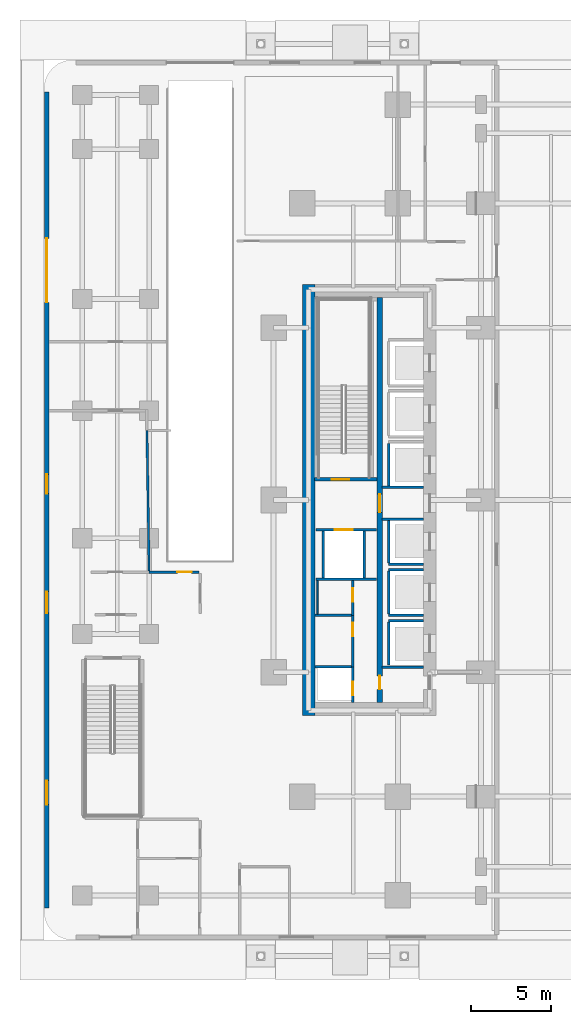
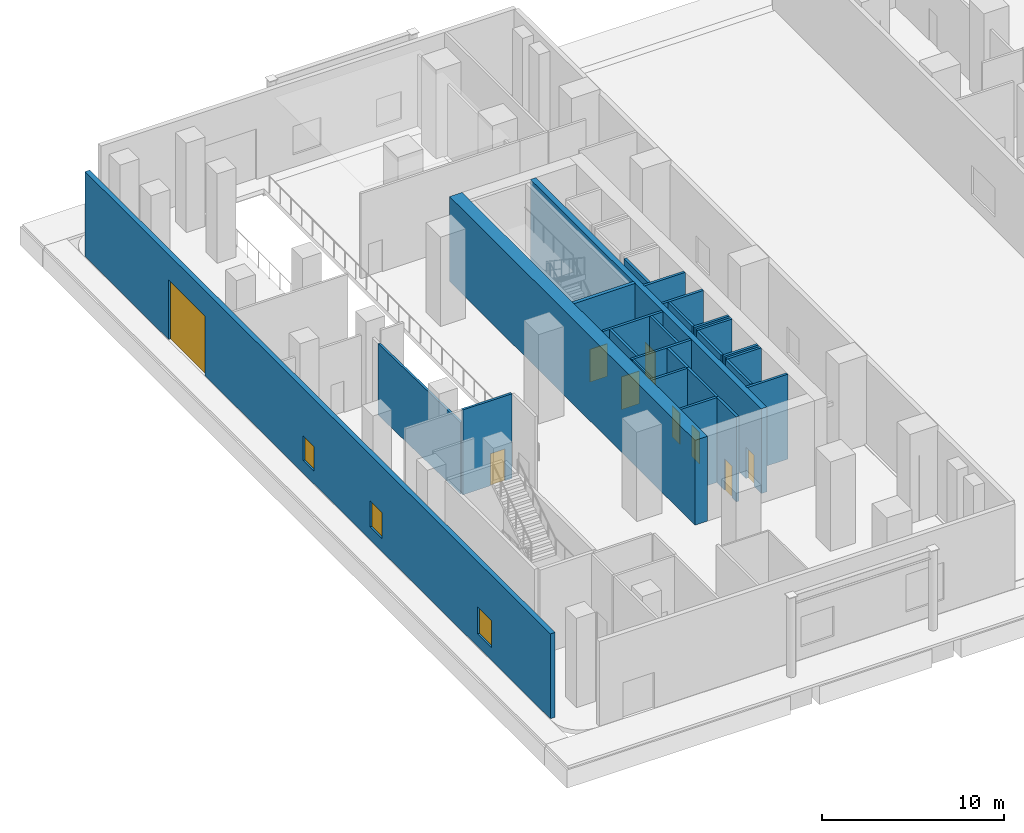
# One storey, part 9 of 22: 27 walls, 9 doors, 3 windows, 12 openings.
"""IFC4 building model written with IfcOpenShell, lengths in metres."""

from ifc_helpers import new_model, si_unit, direction, frame, frame_2d, origin, place, context, subcontext, project, spatial, rectangle, extrude, material, layer, layer_set, type_object, element, fill, save


model = new_model("IFC4")

# Units and contexts
model_context = context("Model", 3, precision=1e-05, world=origin(), true_north=direction((0.0, 1.0)))
body_context = subcontext(model_context, "Body", "Model", "MODEL_VIEW")
ifc_project = project(units=[si_unit("LENGTHUNIT", "METRE"), si_unit("AREAUNIT", "SQUARE_METRE"), si_unit("VOLUMEUNIT", "CUBIC_METRE"), si_unit("PLANEANGLEUNIT", "RADIAN"), si_unit("MASSUNIT", "GRAM", prefix="KILO")], contexts=[model_context])

# Site, building, storey
site_placement = place(None, origin())
site = spatial("IfcSite", under=ifc_project, at=site_placement, CompositionType="ELEMENT")
building_placement = place(site_placement, origin())
building = spatial("IfcBuilding", under=site, at=building_placement, Name="Khairoan Windgate Tower", CompositionType="ELEMENT")
storey_placement = place(building_placement, origin())
storey = spatial("IfcBuildingStorey", under=building, at=storey_placement, Name="L01", CompositionType="ELEMENT", Elevation=0.0)

# Walls
ifc_material_1 = material(Name="Moisture-Resistant Gypsum Partition", Category="gypsum")
ifc_layer_1 = layer(ifc_material_1, 0.10009765625, Name="Moisture-Resistant Gypsum Partition")
ifc_layer_set_1 = layer_set([ifc_layer_1], Name="Moisture-Resistant Gypsum Partition")
wall_type_1 = type_object("IfcWallType", Name="Bathroom Wet-Area Partition Wall", PredefinedType="PARTITIONING", material=ifc_layer_set_1)
wall_1_placement = place(storey_placement, frame((-19.449951171875, -7.14990234375, 0.0), z_axis=(0.0, 0.0, 1.0), x_axis=(0.0, 1.0, 0.0)))
element("IfcWall", 1, at=wall_1_placement, inside=storey, type_object=wall_type_1, Name="L01 Wet Room Side Wall 048", PredefinedType="PARTITIONING", context=body_context, shape_type="SweptSolid", body=[
    extrude(rectangle(XDim=2.08984375, YDim=0.10009765625, at=frame_2d((1.044921875, 0.0))), origin(), (0.0, 0.0, 1.0), 5.699951171875),
])
ifc_material_2 = material(Name="Concrete C40/50", Category="concrete")
ifc_layer_2 = layer(ifc_material_2, 0.159912109375, Name="Concrete C40/50")
ifc_layer_set_2 = layer_set([ifc_layer_2], Name="Concrete C40/50")
wall_type_2 = type_object("IfcWallType", Name="Core and Hoistway Enclosure Wall", PredefinedType="STANDARD", material=ifc_layer_set_2)
wall_2_placement = place(storey_placement, frame((-14.989990234375, 0.85009765625, 0.0), z_axis=(0.0, 0.0, 1.0), x_axis=(0.0, 1.0, 0.0)))
element("IfcWall", 2, at=wall_2_placement, inside=storey, type_object=wall_type_2, Name="L01 Lift PL3 Hoistway Back Wall", PredefinedType="STANDARD", context=body_context, shape_type="SweptSolid", body=[
    extrude(rectangle(XDim=2.699951171875, YDim=0.159912109375, at=frame_2d((1.35009765625, 0.0))), origin(), (0.0, 0.0, 1.0), 5.699951171875),
])
wall_3_placement = place(storey_placement, frame((-14.989990234375, -4.0400390625, 0.0), z_axis=(0.0, 0.0, 1.0), x_axis=(1.0, 0.0, 0.0)))
element("IfcWall", 3, at=wall_3_placement, inside=storey, type_object=wall_type_2, Name="L01 Lift PL4 Hoistway Divider S", PredefinedType="STANDARD", context=body_context, shape_type="SweptSolid", body=[
    extrude(rectangle(XDim=2.18994140625, YDim=0.159912109375, at=frame_2d((1.094970703125, 0.0))), origin(), (0.0, 0.0, 1.0), 5.699951171875),
])
wall_4_placement = place(storey_placement, frame((-14.989990234375, -3.949951171875, 0.0), z_axis=(0.0, 0.0, 1.0), x_axis=(0.0, 1.0, 0.0)))
element("IfcWall", 4, at=wall_4_placement, inside=storey, type_object=wall_type_2, Name="L01 Lift PL4 Hoistway Back Wall", PredefinedType="STANDARD", context=body_context, shape_type="SweptSolid", body=[
    extrude(rectangle(XDim=2.699951171875, YDim=0.159912109375, at=frame_2d((1.35009765625, 0.0))), origin(), (0.0, 0.0, 1.0), 5.699951171875),
])
for number, where, z_axis, x_axis, name in (
    (5, (-14.989990234375, -7.239990234375, 0.0), (0.0, 0.0, 1.0), (1.0, 0.0, 0.0), "L01 Lift PL5 Hoistway Divider S"),
    (6, (-14.989990234375, -4.360107421875, 0.0), (0.0, 0.0, 1.0), (1.0, 0.0, 0.0), "L01 Lift PL5 Hoistway Divider N"),
):
    element("IfcWall", number, at=place(storey_placement, frame(where, z_axis=z_axis, x_axis=x_axis)), inside=storey, type_object=wall_type_2, Name=name, PredefinedType="STANDARD", context=body_context, shape_type="SweptSolid", body=[
        extrude(rectangle(XDim=2.18994140625, YDim=0.159912109375, at=frame_2d((1.094970703125, 0.0))), origin(), (0.0, 0.0, 1.0), 5.699951171875),
    ])
wall_5_placement = place(storey_placement, frame((-14.989990234375, -7.14990234375, 0.0), z_axis=(0.0, 0.0, 1.0), x_axis=(0.0, 1.0, 0.0)))
element("IfcWall", 7, at=wall_5_placement, inside=storey, type_object=wall_type_2, Name="L01 Lift PL5 Hoistway Back Wall", PredefinedType="STANDARD", context=body_context, shape_type="SweptSolid", body=[
    extrude(rectangle(XDim=2.699951171875, YDim=0.159912109375, at=frame_2d((1.35009765625, 0.0))), origin(), (0.0, 0.0, 1.0), 5.699951171875),
])
wall_6_placement = place(storey_placement, frame((-14.989990234375, -7.56005859375, 0.0), z_axis=(0.0, 0.0, 1.0), x_axis=(1.0, 0.0, 0.0)))
element("IfcWall", 8, at=wall_6_placement, inside=storey, type_object=wall_type_2, Name="L01 Lift PL6 Hoistway Divider N", PredefinedType="STANDARD", context=body_context, shape_type="SweptSolid", body=[
    extrude(rectangle(XDim=2.18994140625, YDim=0.159912109375, at=frame_2d((1.094970703125, 0.0))), origin(), (0.0, 0.0, 1.0), 5.699951171875),
])
wall_7_placement = place(storey_placement, frame((-14.989990234375, -10.35009765625, 0.0), z_axis=(0.0, 0.0, 1.0), x_axis=(0.0, 1.0, 0.0)))
element("IfcWall", 9, at=wall_7_placement, inside=storey, type_object=wall_type_2, Name="L01 Lift PL6 Hoistway Back Wall", PredefinedType="STANDARD", context=body_context, shape_type="SweptSolid", body=[
    extrude(rectangle(XDim=2.7001953125, YDim=0.159912109375, at=frame_2d((1.35009765625, 0.0))), origin(), (0.0, 0.0, 1.0), 5.699951171875),
])

# Wall, opening, door
wall_8_placement = place(storey_placement, frame((-19.550048828125, -1.860107421875, 0.0), z_axis=(0.0, 0.0, 1.0), x_axis=(1.0, 0.0, 0.0)))
wall_8 = element("IfcWall", 10, at=wall_8_placement, inside=storey, type_object=wall_type_2, Name="L01 Core Shaft Wall SW-FL2-L01", PredefinedType="STANDARD", context=body_context, shape_type="SweptSolid", body=[
    extrude(rectangle(XDim=3.800048828125, YDim=0.159912109375, at=frame_2d((1.89990234375, 0.0))), origin(), (0.0, 0.0, 1.0), 5.699951171875),
])
opening_1_placement = place(wall_8_placement, frame((1.179931640625, 0.0, 0.0)))
opening_1 = element("IfcOpeningElement", 11, at=opening_1_placement, cuts=wall_8, Name="Opening LD-FL", PredefinedType="OPENING", context=body_context, shape_type="SweptSolid", body=[
    extrude(rectangle(XDim=1.14990234375, YDim=2.199951171875, at=frame_2d((0.574951171875, 1.10009765625))), frame((0.0, 0.08984375, 0.0), z_axis=(0.0, -1.0, 0.0), x_axis=(1.0, 0.0, 0.0)), (0.0, 0.0, 1.0), 0.179931640625),
])
ifc_material_3 = material(Name="Steel S355", Category="steel")
door_type_1 = type_object("IfcDoorType", Name="Firefighting Lift Sliding Landing Door LD-FL 1150x2200", OperationType="DOUBLE_DOOR_SLIDING", PredefinedType="DOOR", material=ifc_material_3)
door_1_placement = place(opening_1_placement, origin())
door_1 = element("IfcDoor", 12, at=door_1_placement, inside=storey, type_object=door_type_1, Name="L01 Firefighting Lift FL2 Landing Door", OperationType="DOUBLE_DOOR_SLIDING", OverallHeight=2.199951171875, OverallWidth=1.14990234375, PredefinedType="DOOR", context=body_context, shape_type="SweptSolid", body=[
    extrude(rectangle(XDim=1.14990234375, YDim=2.199951171875, at=frame_2d((0.574951171875, 1.10009765625))), frame((0.0, 0.02490234375, 0.0), z_axis=(0.0, -1.0, 0.0), x_axis=(1.0, 0.0, 0.0)), (0.0, 0.0, 1.0), 0.050048828125),
])
fill(opening_1, door_1)

# Walls
wall_9_placement = place(storey_placement, frame((-19.550048828125, -4.97998046875, 0.0), z_axis=(0.0, 0.0, 1.0), x_axis=(1.0, 0.0, 0.0)))
element("IfcWall", 13, at=wall_9_placement, inside=storey, type_object=wall_type_2, Name="L01 Core Shaft Wall SW-FL2B-L01", PredefinedType="STANDARD", context=body_context, shape_type="SweptSolid", body=[
    extrude(rectangle(XDim=3.800048828125, YDim=0.159912109375, at=frame_2d((1.89990234375, 0.0))), origin(), (0.0, 0.0, 1.0), 5.699951171875),
])
for number, where, z_axis, x_axis, name in (
    (14, (-19.080078125, -4.89990234375, 0.0), (0.0, 0.0, 1.0), (0.0, 1.0, 0.0), "L01 Core Shaft Wall SW-FL2W-L01"),
    (15, (-16.52001953125, -4.89990234375, 0.0), (0.0, 0.0, 1.0), (0.0, 1.0, 0.0), "L01 Core Shaft Wall SW-FL2E-L01"),
):
    element("IfcWall", number, at=place(storey_placement, frame(where, z_axis=z_axis, x_axis=x_axis)), inside=storey, type_object=wall_type_2, Name=name, PredefinedType="STANDARD", context=body_context, shape_type="SweptSolid", body=[
        extrude(rectangle(XDim=2.9599609375, YDim=0.159912109375, at=frame_2d((1.47998046875, 0.0))), origin(), (0.0, 0.0, 1.0), 5.699951171875),
    ])
for number, where, z_axis, x_axis, name in (
    (16, (-15.39990234375, 0.800048828125, 0.0), (0.0, 0.0, 1.0), (1.0, 0.0, 0.0), "L01 Core Shaft Wall SW-WV1-L01"),
    (17, (-15.39990234375, -1.199951171875, 0.0), (0.0, 0.0, 1.0), (1.0, 0.0, 0.0), "L01 Core Shaft Wall SW-WV2-L01"),
    (18, (-15.39990234375, -10.47998046875, 0.0), (0.0, 0.0, 1.0), (1.0, 0.0, 0.0), "L01 Core Shaft Wall SW-WSV-L01"),
):
    element("IfcWall", number, at=place(storey_placement, frame(where, z_axis=z_axis, x_axis=x_axis)), inside=storey, type_object=wall_type_2, Name=name, PredefinedType="STANDARD", context=body_context, shape_type="SweptSolid", body=[
        extrude(rectangle(XDim=2.599853515625, YDim=0.159912109375, at=frame_2d((1.2998046875, 0.0))), origin(), (0.0, 0.0, 1.0), 5.699951171875),
    ])

# Wall, openings, door, windows
ifc_material_4 = material(Name="Precast Concrete C40/50", Category="concrete")
ifc_layer_3 = layer(ifc_material_4, 0.300048828125, Name="Precast Concrete C40/50")
ifc_layer_set_3 = layer_set([ifc_layer_3], Name="Precast Concrete C40/50")
wall_type_3 = type_object("IfcWallType", Name="Insulated Precast Spandrel Facade Wall EW1 300mm", PredefinedType="STANDARD", material=ifc_layer_set_3)
wall_10_placement = place(storey_placement, frame((-36.419921875, -25.60009765625, 0.0), z_axis=(0.0, 0.0, 1.0), x_axis=(0.0, 1.0, 0.0)))
wall_10 = element("IfcWall", 19, at=wall_10_placement, inside=storey, type_object=wall_type_3, Name="Ground Facade Wall EW-L01-WW", PredefinedType="STANDARD", context=body_context, shape_type="SweptSolid", body=[
    extrude(rectangle(XDim=51.2001953125, YDim=0.300048828125, at=frame_2d((25.60009765625, 0.0))), origin(), (0.0, 0.0, 1.0), 5.699951171875),
])
opening_2_placement = place(wall_10_placement, frame((38.0, 0.0, 0.0)))
opening_2 = element("IfcOpeningElement", 20, at=opening_2_placement, cuts=wall_10, Name="Opening VG-02", PredefinedType="OPENING", context=body_context, shape_type="SweptSolid", body=[
    extrude(rectangle(XDim=4.0, YDim=4.0, at=frame_2d((2.0, 2.0))), frame((0.0, 0.159912109375, 0.0), z_axis=(0.0, -1.0, 0.0), x_axis=(1.0, 0.0, 0.0)), (0.0, 0.0, 1.0), 0.320068359375),
])
opening_3_placement = place(wall_10_placement, frame((6.5, 0.0, 0.85009765625)))
opening_3 = element("IfcOpeningElement", 21, at=opening_3_placement, cuts=wall_10, Name="Opening WN-05", PredefinedType="OPENING", context=body_context, shape_type="SweptSolid", body=[
    extrude(rectangle(XDim=1.5, YDim=1.800048828125, at=frame_2d((0.75, 0.89990234375))), frame((0.0, 0.159912109375, 0.0), z_axis=(0.0, -1.0, 0.0), x_axis=(1.0, 0.0, 0.0)), (0.0, 0.0, 1.0), 0.320068359375),
])
opening_4_placement = place(wall_10_placement, frame((18.5, 0.0, 0.85009765625)))
opening_4 = element("IfcOpeningElement", 22, at=opening_4_placement, cuts=wall_10, Name="Opening WN-06", PredefinedType="OPENING", context=body_context, shape_type="SweptSolid", body=[
    extrude(rectangle(XDim=1.35009765625, YDim=1.75, at=frame_2d((0.675048828125, 0.875))), frame((0.0, 0.159912109375, 0.0), z_axis=(0.0, -1.0, 0.0), x_axis=(1.0, 0.0, 0.0)), (0.0, 0.0, 1.0), 0.320068359375),
])
opening_5_placement = place(wall_10_placement, frame((26.0, 0.0, 0.85009765625)))
opening_5 = element("IfcOpeningElement", 23, at=opening_5_placement, cuts=wall_10, Name="Opening WN-07", PredefinedType="OPENING", context=body_context, shape_type="SweptSolid", body=[
    extrude(rectangle(XDim=1.199951171875, YDim=1.64990234375, at=frame_2d((0.60009765625, 0.824951171875))), frame((0.0, 0.159912109375, 0.0), z_axis=(0.0, -1.0, 0.0), x_axis=(1.0, 0.0, 0.0)), (0.0, 0.0, 1.0), 0.320068359375),
])
ifc_material_5 = material(Name="Steel S355", Category="steel")
door_type_2 = type_object("IfcDoorType", Name="Loading Bay Roller Shutter Gate VG-02", OperationType="SLIDING_TO_LEFT", PredefinedType="GATE", material=ifc_material_5)
door_2_placement = place(opening_2_placement, origin())
door_2 = element("IfcDoor", 24, at=door_2_placement, inside=storey, type_object=door_type_2, Name="Loading Dock Shutter Gate VG-02", OperationType="SLIDING_TO_LEFT", OverallHeight=4.0, OverallWidth=4.0, PredefinedType="GATE", context=body_context, shape_type="SweptSolid", body=[
    extrude(rectangle(XDim=4.0, YDim=4.0, at=frame_2d((2.0, 2.0))), frame((0.0, 0.02490234375, 0.0), z_axis=(0.0, -1.0, 0.0), x_axis=(1.0, 0.0, 0.0)), (0.0, 0.0, 1.0), 0.050048828125),
])
fill(opening_2, door_2)
ifc_material_6 = material(Name="Low-E Solar Control Laminated Glass", Category="glass")
window_type_1 = type_object("IfcWindowType", Name="Window WN-05 1500x1800", PartitioningType="SINGLE_PANEL", PredefinedType="WINDOW", material=ifc_material_6)
window_1_placement = place(opening_3_placement, origin())
window_1 = element("IfcWindow", 25, at=window_1_placement, inside=storey, type_object=window_type_1, Name="L01 Facade Window 05", OverallHeight=1.800048828125, OverallWidth=1.5, PartitioningType="SINGLE_PANEL", PredefinedType="WINDOW", context=body_context, shape_type="SweptSolid", body=[
    extrude(rectangle(XDim=1.5, YDim=1.800048828125, at=frame_2d((0.75, 0.89990234375))), frame((0.0, 0.030029296875, 0.0), z_axis=(0.0, -1.0, 0.0), x_axis=(1.0, 0.0, 0.0)), (0.0, 0.0, 1.0), 0.06005859375),
])
fill(opening_3, window_1)
ifc_material_7 = material(Name="Low-E Solar Control Laminated Glass", Category="glass")
window_type_2 = type_object("IfcWindowType", Name="Window WN-06 1350x1750", PartitioningType="SINGLE_PANEL", PredefinedType="WINDOW", material=ifc_material_7)
window_2_placement = place(opening_4_placement, origin())
window_2 = element("IfcWindow", 26, at=window_2_placement, inside=storey, type_object=window_type_2, Name="L01 Facade Window 06", OverallHeight=1.75, OverallWidth=1.35009765625, PartitioningType="SINGLE_PANEL", PredefinedType="WINDOW", context=body_context, shape_type="SweptSolid", body=[
    extrude(rectangle(XDim=1.35009765625, YDim=1.75, at=frame_2d((0.675048828125, 0.875))), frame((0.0, 0.030029296875, 0.0), z_axis=(0.0, -1.0, 0.0), x_axis=(1.0, 0.0, 0.0)), (0.0, 0.0, 1.0), 0.06005859375),
])
fill(opening_4, window_2)
ifc_material_8 = material(Name="Low-E Solar Control Laminated Glass", Category="glass")
window_type_3 = type_object("IfcWindowType", Name="Window WN-07 1200x1650", PartitioningType="SINGLE_PANEL", PredefinedType="WINDOW", material=ifc_material_8)
window_3_placement = place(opening_5_placement, origin())
window_3 = element("IfcWindow", 27, at=window_3_placement, inside=storey, type_object=window_type_3, Name="L01 Facade Window 07", OverallHeight=1.64990234375, OverallWidth=1.199951171875, PartitioningType="SINGLE_PANEL", PredefinedType="WINDOW", context=body_context, shape_type="SweptSolid", body=[
    extrude(rectangle(XDim=1.199951171875, YDim=1.64990234375, at=frame_2d((0.60009765625, 0.824951171875))), frame((0.0, 0.030029296875, 0.0), z_axis=(0.0, -1.0, 0.0), x_axis=(1.0, 0.0, 0.0)), (0.0, 0.0, 1.0), 0.06005859375),
])
fill(opening_5, window_3)

# Wall
ifc_material_9 = material(Name="Acoustic Fire-Rated Gypsum Partition", Category="gypsum")
ifc_layer_4 = layer(ifc_material_9, 0.139892578125, Name="Acoustic Fire-Rated Gypsum Partition")
ifc_layer_set_4 = layer_set([ifc_layer_4], Name="Acoustic Fire-Rated Gypsum Partition")
wall_type_4 = type_object("IfcWallType", Name="Inter-Tenancy Compartment Wall", PredefinedType="PARTITIONING", material=ifc_layer_set_4)
wall_11_placement = place(storey_placement, frame((-30.003662109375, -4.445068359375, 0.0), z_axis=(0.0, 0.0, 1.0), x_axis=(-0.015469783933, 0.999880335733, 0.0)))
element("IfcWall", 28, at=wall_11_placement, inside=storey, type_object=wall_type_4, Name="L01 Interior Partition 024", PredefinedType="PARTITIONING", context=body_context, shape_type="SweptSolid", body=[
    extrude(rectangle(XDim=8.80615234375, YDim=0.139892578125, at=frame_2d((4.403076171875, 0.0))), origin(), (0.0, 0.0, 1.0), 4.800048828125),
])

# Wall, opening, door
ifc_material_10 = material(Name="Concrete C40/50", Category="concrete")
ifc_layer_5 = layer(ifc_material_10, 0.159912109375, Name="Concrete C40/50")
ifc_layer_set_5 = layer_set([ifc_layer_5], Name="Concrete C40/50")
wall_type_5 = type_object("IfcWallType", Name="Plant and Refuge Compartment Wall", PredefinedType="PARTITIONING", material=ifc_layer_set_5)
wall_12_placement = place(storey_placement, frame((-17.22998046875, -12.699951171875, 0.0), z_axis=(0.0, 0.0, 1.0), x_axis=(0.0, 1.0, 0.0)))
wall_12 = element("IfcWall", 29, at=wall_12_placement, inside=storey, type_object=wall_type_5, Name="L01 Interior Partition 001", PredefinedType="PARTITIONING", context=body_context, shape_type="SweptSolid", body=[
    extrude(rectangle(XDim=2.22998046875, YDim=0.159912109375, at=frame_2d((1.114990234375, 0.0))), origin(), (0.0, 0.0, 1.0), 5.699951171875),
])
opening_6_placement = place(wall_12_placement, frame((0.4599609375, 0.0, 0.0)))
opening_6 = element("IfcOpeningElement", 30, at=opening_6_placement, cuts=wall_12, Name="Opening FD-SRV", PredefinedType="OPENING", context=body_context, shape_type="SweptSolid", body=[
    extrude(rectangle(XDim=0.85009765625, YDim=2.10009765625, at=frame_2d((0.425048828125, 1.050048828125))), frame((0.0, 0.08984375, 0.0), z_axis=(0.0, -1.0, 0.0), x_axis=(1.0, 0.0, 0.0)), (0.0, 0.0, 1.0), 0.179931640625),
])
ifc_material_11 = material(Name="Steel S355", Category="steel")
door_type_3 = type_object("IfcDoorType", Name="Core Service and Riser Fire Door FD-SRV 850x2100", OperationType="NOTDEFINED", PredefinedType="DOOR", material=ifc_material_11)
door_3_placement = place(opening_6_placement, origin())
door_3 = element("IfcDoor", 31, at=door_3_placement, inside=storey, type_object=door_type_3, Name="L01 L01-04-L01-05 Door", OperationType="SINGLE_SWING_RIGHT", OverallHeight=2.10009765625, OverallWidth=0.85009765625, PredefinedType="DOOR", context=body_context, shape_type="SweptSolid", body=[
    extrude(rectangle(XDim=0.85009765625, YDim=2.10009765625, at=frame_2d((0.425048828125, 1.050048828125))), frame((0.0, 0.02490234375, 0.0), z_axis=(0.0, -1.0, 0.0), x_axis=(1.0, 0.0, 0.0)), (0.0, 0.0, 1.0), 0.050048828125),
])
fill(opening_6, door_3)

wall_13_placement = place(storey_placement, frame((-17.22998046875, -7.22998046875, 0.0), z_axis=(0.0, 0.0, 1.0), x_axis=(0.0, 1.0, 0.0)))
wall_13 = element("IfcWall", 32, at=wall_13_placement, inside=storey, type_object=wall_type_5, Name="L01 Interior Partition 002", PredefinedType="PARTITIONING", context=body_context, shape_type="SweptSolid", body=[
    extrude(rectangle(XDim=2.169921875, YDim=0.159912109375, at=frame_2d((1.0849609375, 0.0))), origin(), (0.0, 0.0, 1.0), 5.699951171875),
])
opening_7_placement = place(wall_13_placement, frame((0.860107421875, 0.0, 0.0)))
opening_7 = element("IfcOpeningElement", 33, at=opening_7_placement, cuts=wall_13, Name="Opening FD-SRV", PredefinedType="OPENING", context=body_context, shape_type="SweptSolid", body=[
    extrude(rectangle(XDim=0.85009765625, YDim=2.10009765625, at=frame_2d((0.425048828125, 1.050048828125))), frame((0.0, 0.08984375, 0.0), z_axis=(0.0, -1.0, 0.0), x_axis=(1.0, 0.0, 0.0)), (0.0, 0.0, 1.0), 0.179931640625),
])
door_4_placement = place(opening_7_placement, origin())
door_4 = element("IfcDoor", 34, at=door_4_placement, inside=storey, type_object=door_type_3, Name="L01 L01-04-L01-06 Door", OperationType="SINGLE_SWING_LEFT", OverallHeight=2.10009765625, OverallWidth=0.85009765625, PredefinedType="DOOR", context=body_context, shape_type="SweptSolid", body=[
    extrude(rectangle(XDim=0.85009765625, YDim=2.10009765625, at=frame_2d((0.425048828125, 1.050048828125))), frame((0.0, 0.02490234375, 0.0), z_axis=(0.0, -1.0, 0.0), x_axis=(1.0, 0.0, 0.0)), (0.0, 0.0, 1.0), 0.050048828125),
])
fill(opening_7, door_4)

wall_14_placement = place(storey_placement, frame((-17.22998046875, -10.469970703125, 0.0), z_axis=(0.0, 0.0, 1.0), x_axis=(0.0, 1.0, 0.0)))
wall_14 = element("IfcWall", 35, at=wall_14_placement, inside=storey, type_object=wall_type_5, Name="L01 Interior Partition 003", PredefinedType="PARTITIONING", context=body_context, shape_type="SweptSolid", body=[
    extrude(rectangle(XDim=3.239990234375, YDim=0.159912109375, at=frame_2d((1.6201171875, 0.0))), origin(), (0.0, 0.0, 1.0), 5.699951171875),
])
opening_8_placement = place(wall_14_placement, frame((1.929931640625, 0.0, 0.0)))
opening_8 = element("IfcOpeningElement", 36, at=opening_8_placement, cuts=wall_14, Name="Opening FD-SRV", PredefinedType="OPENING", context=body_context, shape_type="SweptSolid", body=[
    extrude(rectangle(XDim=0.85009765625, YDim=2.10009765625, at=frame_2d((0.425048828125, 1.050048828125))), frame((0.0, 0.08984375, 0.0), z_axis=(0.0, -1.0, 0.0), x_axis=(1.0, 0.0, 0.0)), (0.0, 0.0, 1.0), 0.179931640625),
])
door_5_placement = place(opening_8_placement, origin())
door_5 = element("IfcDoor", 37, at=door_5_placement, inside=storey, type_object=door_type_3, Name="L01 L01-04-L01-07 Door", OperationType="SINGLE_SWING_RIGHT", OverallHeight=2.10009765625, OverallWidth=0.85009765625, PredefinedType="DOOR", context=body_context, shape_type="SweptSolid", body=[
    extrude(rectangle(XDim=0.85009765625, YDim=2.10009765625, at=frame_2d((0.425048828125, 1.050048828125))), frame((0.0, 0.02490234375, 0.0), z_axis=(0.0, -1.0, 0.0), x_axis=(1.0, 0.0, 0.0)), (0.0, 0.0, 1.0), 0.050048828125),
])
fill(opening_8, door_5)

# Walls
for number, where, z_axis, x_axis, name in (
    (38, (-19.60009765625, -10.469970703125, 0.0), (0.0, 0.0, 1.0), (1.0, 0.0, 0.0), "L01 Interior Partition 004"),
    (39, (-19.60009765625, -7.22998046875, 0.0), (0.0, 0.0, 1.0), (1.0, 0.0, 0.0), "L01 Interior Partition 005"),
):
    element("IfcWall", number, at=place(storey_placement, frame(where, z_axis=z_axis, x_axis=x_axis)), inside=storey, type_object=wall_type_5, Name=name, PredefinedType="PARTITIONING", context=body_context, shape_type="SweptSolid", body=[
        extrude(rectangle(XDim=2.2900390625, YDim=0.159912109375, at=frame_2d((1.14501953125, 0.0))), origin(), (0.0, 0.0, 1.0), 5.699951171875),
    ])

# Wall, opening, door
ifc_material_12 = material(Name="Acoustic Fire-Rated Gypsum Partition", Category="gypsum")
ifc_layer_6 = layer(ifc_material_12, 0.14990234375, Name="Acoustic Fire-Rated Gypsum Partition")
ifc_layer_set_6 = layer_set([ifc_layer_6], Name="Acoustic Fire-Rated Gypsum Partition")
wall_type_6 = type_object("IfcWallType", Name="Rated Corridor Partition Wall", PredefinedType="PARTITIONING", material=ifc_layer_set_6)
wall_15_placement = place(storey_placement, frame((-30.0, -4.52001953125, 0.0), z_axis=(0.0, 0.0, 1.0), x_axis=(1.0, 0.0, 0.0)))
wall_15 = element("IfcWall", 40, at=wall_15_placement, inside=storey, type_object=wall_type_6, Name="L01 Interior Partition 016", PredefinedType="PARTITIONING", context=body_context, shape_type="SweptSolid", body=[
    extrude(rectangle(XDim=3.125, YDim=0.14990234375, at=frame_2d((1.5625, 0.0))), origin(), (0.0, 0.0, 1.0), 5.699951171875),
])
opening_9_placement = place(wall_15_placement, frame((1.764892578125, 0.0, 0.0)))
opening_9 = element("IfcOpeningElement", 41, at=opening_9_placement, cuts=wall_15, Name="Opening FD-ENT", PredefinedType="OPENING", context=body_context, shape_type="SweptSolid", body=[
    extrude(rectangle(XDim=0.89990234375, YDim=2.14990234375, at=frame_2d((0.449951171875, 1.074951171875))), frame((0.0, 0.0849609375, 0.0), z_axis=(0.0, -1.0, 0.0), x_axis=(1.0, 0.0, 0.0)), (0.0, 0.0, 1.0), 0.169921875),
])
ifc_material_13 = material(Name="Timber Fire-Rated Core", Category="wood")
door_type_4 = type_object("IfcDoorType", Name="Unit and Office Fire Entrance Door FD-ENT 900x2150", OperationType="NOTDEFINED", PredefinedType="DOOR", material=ifc_material_13)
door_6_placement = place(opening_9_placement, origin())
door_6 = element("IfcDoor", 42, at=door_6_placement, inside=storey, type_object=door_type_4, Name="L01 L01-35-L01-45 Door", OperationType="SINGLE_SWING_LEFT", OverallHeight=2.14990234375, OverallWidth=0.89990234375, PredefinedType="DOOR", context=body_context, shape_type="SweptSolid", body=[
    extrude(rectangle(XDim=0.89990234375, YDim=2.14990234375, at=frame_2d((0.449951171875, 1.074951171875))), frame((0.0, 0.02490234375, 0.0), z_axis=(0.0, -1.0, 0.0), x_axis=(1.0, 0.0, 0.0)), (0.0, 0.0, 1.0), 0.050048828125),
])
fill(opening_9, door_6)

# Wall
ifc_material_14 = material(Name="Concrete C70/85", Category="concrete")
ifc_layer_7 = layer(ifc_material_14, 0.800048828125, Name="Concrete C70/85")
ifc_layer_set_7 = layer_set([ifc_layer_7], Name="Concrete C70/85")
wall_type_7 = type_object("IfcWallType", Name="Shear Wall CW-W1 800mm", PredefinedType="SHEAR", material=ifc_layer_set_7)
wall_16_placement = place(storey_placement, frame((-20.0, -13.5, 0.0), z_axis=(0.0, 0.0, 1.0), x_axis=(0.0, 1.0, 0.0)))
element("IfcWall", 43, at=wall_16_placement, inside=storey, type_object=wall_type_7, Name="W Core West Shear Wall L01", PredefinedType="SHEAR", context=body_context, shape_type="SweptSolid", body=[
    extrude(rectangle(XDim=27.0, YDim=0.800048828125, at=frame_2d((13.5, 0.0))), origin(), (0.0, 0.0, 1.0), 5.699951171875),
])

# Wall, openings, doors
ifc_material_15 = material(Name="Concrete C60/75", Category="concrete")
ifc_layer_8 = layer(ifc_material_15, 0.35009765625, Name="Concrete C60/75")
ifc_layer_set_8 = layer_set([ifc_layer_8], Name="Concrete C60/75")
wall_type_8 = type_object("IfcWallType", Name="Shear Wall SW-1 350mm", PredefinedType="SHEAR", material=ifc_layer_set_8)
wall_17_placement = place(storey_placement, frame((-15.550048828125, -12.699951171875, 0.0), z_axis=(0.0, 0.0, 1.0), x_axis=(0.0, 1.0, 0.0)))
wall_17 = element("IfcWall", 44, at=wall_17_placement, inside=storey, type_object=wall_type_8, Name="W Core Spine Shear Wall L01", PredefinedType="SHEAR", context=body_context, shape_type="SweptSolid", body=[
    extrude(rectangle(XDim=25.39990234375, YDim=0.35009765625, at=frame_2d((12.699951171875, 0.0))), origin(), (0.0, 0.0, 1.0), 5.699951171875),
])
opening_10_placement = place(wall_17_placement, frame((11.925048828125, 0.0, 0.0)))
opening_10 = element("IfcOpeningElement", 45, at=opening_10_placement, cuts=wall_17, Name="Opening FD-FFL", PredefinedType="OPENING", context=body_context, shape_type="SweptSolid", body=[
    extrude(rectangle(XDim=1.14990234375, YDim=2.199951171875, at=frame_2d((0.574951171875, 1.10009765625))), frame((0.0, 0.18505859375, 0.0), z_axis=(0.0, -1.0, 0.0), x_axis=(1.0, 0.0, 0.0)), (0.0, 0.0, 1.0), 0.3701171875),
])
opening_11_placement = place(wall_17_placement, frame((0.824951171875, 0.0, 0.0)))
opening_11 = element("IfcOpeningElement", 46, at=opening_11_placement, cuts=wall_17, Name="Opening FD-SRV", PredefinedType="OPENING", context=body_context, shape_type="SweptSolid", body=[
    extrude(rectangle(XDim=0.85009765625, YDim=2.10009765625, at=frame_2d((0.425048828125, 1.050048828125))), frame((0.0, 0.18505859375, 0.0), z_axis=(0.0, -1.0, 0.0), x_axis=(1.0, 0.0, 0.0)), (0.0, 0.0, 1.0), 0.3701171875),
])
door_7_placement = place(opening_11_placement, origin())
door_7 = element("IfcDoor", 47, at=door_7_placement, inside=storey, type_object=door_type_3, Name="L01 West Core Service Passage Inner Door", OperationType="SINGLE_SWING_LEFT", OverallHeight=2.10009765625, OverallWidth=0.85009765625, PredefinedType="DOOR", context=body_context, shape_type="SweptSolid", body=[
    extrude(rectangle(XDim=0.85009765625, YDim=2.10009765625, at=frame_2d((0.425048828125, 1.050048828125))), frame((0.0, 0.02490234375, 0.0), z_axis=(0.0, -1.0, 0.0), x_axis=(1.0, 0.0, 0.0)), (0.0, 0.0, 1.0), 0.050048828125),
])
fill(opening_11, door_7)
ifc_material_16 = material(Name="Steel S355", Category="steel")
door_type_5 = type_object("IfcDoorType", Name="Firefighting Lobby Fire Door FD-FFL 1150x2200", OperationType="NOTDEFINED", PredefinedType="DOOR", material=ifc_material_16)
door_8_placement = place(opening_10_placement, origin())
door_8 = element("IfcDoor", 48, at=door_8_placement, inside=storey, type_object=door_type_5, Name="L01 West Firefighting Lobby Fire Door", OperationType="SINGLE_SWING_LEFT", OverallHeight=2.199951171875, OverallWidth=1.14990234375, PredefinedType="DOOR", context=body_context, shape_type="SweptSolid", body=[
    extrude(rectangle(XDim=1.14990234375, YDim=2.199951171875, at=frame_2d((0.574951171875, 1.10009765625))), frame((0.0, 0.02490234375, 0.0), z_axis=(0.0, -1.0, 0.0), x_axis=(1.0, 0.0, 0.0)), (0.0, 0.0, 1.0), 0.050048828125),
])
fill(opening_10, door_8)

# Wall, opening, door
ifc_material_17 = material(Name="Concrete C50/60", Category="concrete")
ifc_layer_9 = layer(ifc_material_17, 0.219970703125, Name="Concrete C50/60")
ifc_layer_set_9 = layer_set([ifc_layer_9], Name="Concrete C50/60")
wall_type_9 = type_object("IfcWallType", Name="Shear Wall SW-ST 220mm", PredefinedType="SHEAR", material=ifc_layer_set_9)
wall_18_placement = place(storey_placement, frame((-19.6201171875, 1.2900390625, 0.0), z_axis=(0.0, 0.0, 1.0), x_axis=(1.0, 0.0, 0.0)))
wall_18 = element("IfcWall", 49, at=wall_18_placement, inside=storey, type_object=wall_type_9, Name="L01 Stair ST2 South Bearing Wall", PredefinedType="SHEAR", context=body_context, shape_type="SweptSolid", body=[
    extrude(rectangle(XDim=3.9150390625, YDim=0.219970703125, at=frame_2d((1.95751953125, 0.0))), origin(), (0.0, 0.0, 1.0), 5.699951171875),
])
opening_12_placement = place(wall_18_placement, frame((1.080078125, 0.0, 0.0)))
opening_12 = element("IfcOpeningElement", 50, at=opening_12_placement, cuts=wall_18, Name="Opening FD-ST", PredefinedType="OPENING", context=body_context, shape_type="SweptSolid", body=[
    extrude(rectangle(XDim=1.10009765625, YDim=2.199951171875, at=frame_2d((0.550048828125, 1.10009765625))), frame((0.0, 0.119873046875, 0.0), z_axis=(0.0, -1.0, 0.0), x_axis=(1.0, 0.0, 0.0)), (0.0, 0.0, 1.0), 0.239990234375),
])
ifc_material_18 = material(Name="Steel S355", Category="steel")
door_type_6 = type_object("IfcDoorType", Name="Smokeproof Stair Fire Door FD-ST 1100x2200", OperationType="NOTDEFINED", PredefinedType="DOOR", material=ifc_material_18)
door_9_placement = place(opening_12_placement, origin())
door_9 = element("IfcDoor", 51, at=door_9_placement, inside=storey, type_object=door_type_6, Name="L01 Stair ST2 Fire Door", OperationType="SINGLE_SWING_RIGHT", OverallHeight=2.199951171875, OverallWidth=1.10009765625, PredefinedType="DOOR", context=body_context, shape_type="SweptSolid", body=[
    extrude(rectangle(XDim=1.10009765625, YDim=2.199951171875, at=frame_2d((0.550048828125, 1.10009765625))), frame((0.0, 0.02490234375, 0.0), z_axis=(0.0, -1.0, 0.0), x_axis=(1.0, 0.0, 0.0)), (0.0, 0.0, 1.0), 0.050048828125),
])
fill(opening_12, door_9)

save(model, "model.ifc")
